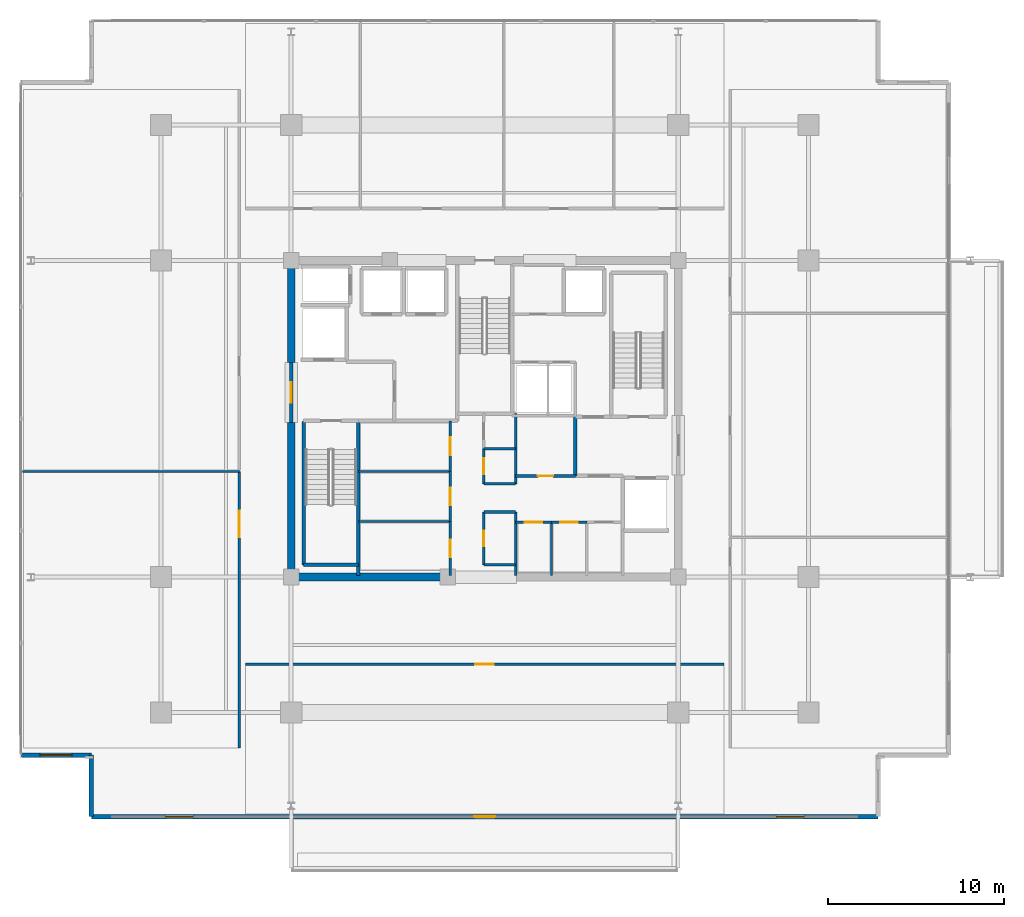
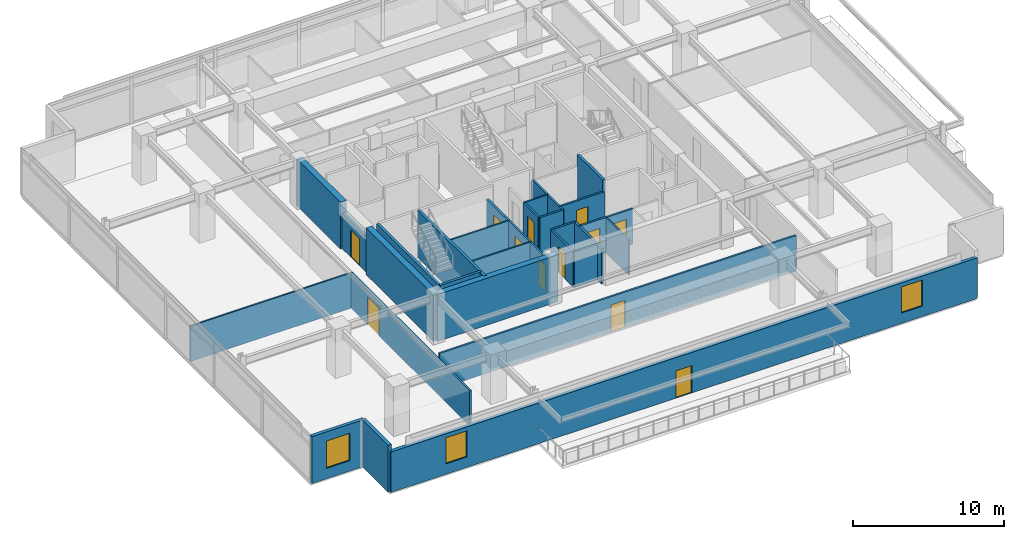
# One storey, part 16 of 24: 31 walls, 12 doors, 3 windows, 15 openings.
"""IFC4 building model written with IfcOpenShell, lengths in metres."""

from ifc_helpers import new_model, si_unit, direction, frame, frame_2d, origin, place, context, subcontext, project, spatial, rectangle, extrude, material, layer, layer_set, type_object, element, fill, save


model = new_model("IFC4")

# Units and contexts
model_context = context("Model", 3, precision=1e-05, world=origin(), true_north=direction((0.0, 1.0)))
body_context = subcontext(model_context, "Body", "Model", "MODEL_VIEW")
ifc_project = project(units=[si_unit("LENGTHUNIT", "METRE"), si_unit("AREAUNIT", "SQUARE_METRE"), si_unit("VOLUMEUNIT", "CUBIC_METRE"), si_unit("PLANEANGLEUNIT", "RADIAN"), si_unit("MASSUNIT", "GRAM", prefix="KILO")], contexts=[model_context])

# Site, building, storey
site_placement = place(None, origin())
site = spatial("IfcSite", under=ifc_project, at=site_placement, CompositionType="ELEMENT")
building_placement = place(site_placement, origin())
building = spatial("IfcBuilding", under=site, at=building_placement, Name="Kovane Verandah Tower", CompositionType="ELEMENT")
storey_placement = place(building_placement, frame((0.0, 0.0, 259.199951171875)))
storey = spatial("IfcBuildingStorey", under=building, at=storey_placement, Name="L60", CompositionType="ELEMENT", Elevation=259.199951171875)

# Walls
ifc_material_1 = material(Name="Fire-Rated Gypsum Stud Partition", Category="gypsum")
ifc_layer_1 = layer(ifc_material_1, 0.14990234375)
ifc_layer_set_1 = layer_set([ifc_layer_1], Name="Fire-Rated Gypsum Stud Partition")
wall_type_1 = type_object("IfcWallType", Name="WL-COR-150", PredefinedType="PARTITIONING", material=ifc_layer_set_1)
for number, where, z_axis, x_axis, name in (
    (1, (39.949951171875, 19.199951171875, 0.0), (0.0, 0.0, 1.0), (1.0, 0.0, 0.0), "L60 Central Core Strip South Wall"),
    (2, (39.949951171875, 22.199951171875, 0.0), (0.0, 0.0, 1.0), (1.0, 0.0, 0.0), "L60 Core Cross-Passage South Wall"),
    (3, (39.949951171875, 23.800048828125, 0.0), (0.0, 0.0, 1.0), (1.0, 0.0, 0.0), "L60 Core Cross-Passage North Wall"),
):
    element("IfcWall", number, at=place(storey_placement, frame(where, z_axis=z_axis, x_axis=x_axis)), inside=storey, type_object=wall_type_1, Name=name, PredefinedType="PARTITIONING", context=body_context, shape_type="SweptSolid", body=[
        extrude(rectangle(XDim=1.81005859375, YDim=0.14990234375, at=frame_2d((0.905029296875, 0.0))), origin(), (0.0, 0.0, 1.0), 2.85009765625),
    ])
wall_1_placement = place(storey_placement, frame((41.760009765625, 18.60009765625, 0.0), z_axis=(0.0, 0.0, 1.0), x_axis=(0.0, 1.0, 0.0)))
element("IfcWall", 4, at=wall_1_placement, inside=storey, type_object=wall_type_1, Name="L60 Central Core Strip Lower East Wall", PredefinedType="PARTITIONING", context=body_context, shape_type="SweptSolid", body=[
    extrude(rectangle(XDim=3.599853515625, YDim=0.14990234375, at=frame_2d((1.7998046875, 0.0))), origin(), (0.0, 0.0, 1.0), 2.85009765625),
])
wall_2_placement = place(storey_placement, frame((41.760009765625, 23.800048828125, 0.0), z_axis=(0.0, 0.0, 1.0), x_axis=(0.0, 1.0, 0.0)))
element("IfcWall", 5, at=wall_2_placement, inside=storey, type_object=wall_type_1, Name="L60 Central Core Strip Upper East Wall", PredefinedType="PARTITIONING", context=body_context, shape_type="SweptSolid", body=[
    extrude(rectangle(XDim=4.0, YDim=0.14990234375, at=frame_2d((2.0, 0.0))), origin(), (0.0, 0.0, 1.0), 2.85009765625),
])

# Wall, opening, door
wall_3_placement = place(storey_placement, frame((39.949951171875, 19.199951171875, 0.0), z_axis=(0.0, 0.0, 1.0), x_axis=(0.0, 1.0, 0.0)))
wall_3 = element("IfcWall", 6, at=wall_3_placement, inside=storey, type_object=wall_type_1, Name="L60 Male Toilet Partition", PredefinedType="PARTITIONING", context=body_context, shape_type="SweptSolid", body=[
    extrude(rectangle(XDim=3.0, YDim=0.14990234375, at=frame_2d((1.5, 0.0))), origin(), (0.0, 0.0, 1.0), 2.85009765625),
])
opening_1_placement = place(wall_3_placement, frame((1.050048828125, 0.0, 0.0)))
opening_1 = element("IfcOpeningElement", 7, at=opening_1_placement, cuts=wall_3, Name="Opening DR-L60-031", PredefinedType="OPENING", context=body_context, shape_type="SweptSolid", body=[
    extrude(rectangle(XDim=0.89990234375, YDim=2.10009765625, at=frame_2d((0.449951171875, 1.050048828125))), frame((0.0, 0.074951171875, 0.0), z_axis=(0.0, -1.0, 0.0), x_axis=(1.0, 0.0, 0.0)), (0.0, 0.0, 1.0), 0.14990234375),
])
ifc_material_2 = material(Name="Moisture-Resistant Laminate Washroom Door", Category="wood")
door_type_1 = type_object("IfcDoorType", Name="DR-WC-900", OperationType="SINGLE_SWING_LEFT", PredefinedType="DOOR", material=ifc_material_2)
door_1_placement = place(opening_1_placement, origin())
door_1 = element("IfcDoor", 8, at=door_1_placement, inside=storey, type_object=door_type_1, Name="L60 Male Toilet Door", OperationType="SINGLE_SWING_RIGHT", OverallHeight=2.10009765625, OverallWidth=0.89990234375, PredefinedType="DOOR", context=body_context, shape_type="SweptSolid", body=[
    extrude(rectangle(XDim=0.89990234375, YDim=2.10009765625, at=frame_2d((0.449951171875, 1.050048828125))), frame((0.0, 0.02490234375, 0.0), z_axis=(0.0, -1.0, 0.0), x_axis=(1.0, 0.0, 0.0)), (0.0, 0.0, 1.0), 0.050048828125),
])
fill(opening_1, door_1)

wall_4_placement = place(storey_placement, frame((39.949951171875, 23.800048828125, 0.0), z_axis=(0.0, 0.0, 1.0), x_axis=(0.0, 1.0, 0.0)))
wall_4 = element("IfcWall", 9, at=wall_4_placement, inside=storey, type_object=wall_type_1, Name="L60 Female Toilet Partition", PredefinedType="PARTITIONING", context=body_context, shape_type="SweptSolid", body=[
    extrude(rectangle(XDim=2.0, YDim=0.14990234375, at=frame_2d((1.0, 0.0))), origin(), (0.0, 0.0, 1.0), 2.85009765625),
])
opening_2_placement = place(wall_4_placement, frame((0.550048828125, 0.0, 0.0)))
opening_2 = element("IfcOpeningElement", 10, at=opening_2_placement, cuts=wall_4, Name="Opening DR-L60-030", PredefinedType="OPENING", context=body_context, shape_type="SweptSolid", body=[
    extrude(rectangle(XDim=0.89990234375, YDim=2.10009765625, at=frame_2d((0.449951171875, 1.050048828125))), frame((0.0, 0.074951171875, 0.0), z_axis=(0.0, -1.0, 0.0), x_axis=(1.0, 0.0, 0.0)), (0.0, 0.0, 1.0), 0.14990234375),
])
door_2_placement = place(opening_2_placement, origin())
door_2 = element("IfcDoor", 11, at=door_2_placement, inside=storey, type_object=door_type_1, Name="L60 Female Toilet Door", OperationType="SINGLE_SWING_LEFT", OverallHeight=2.10009765625, OverallWidth=0.89990234375, PredefinedType="DOOR", context=body_context, shape_type="SweptSolid", body=[
    extrude(rectangle(XDim=0.89990234375, YDim=2.10009765625, at=frame_2d((0.449951171875, 1.050048828125))), frame((0.0, 0.02490234375, 0.0), z_axis=(0.0, -1.0, 0.0), x_axis=(1.0, 0.0, 0.0)), (0.0, 0.0, 1.0), 0.050048828125),
])
fill(opening_2, door_2)

wall_5_placement = place(storey_placement, frame((38.050048828125, 18.60009765625, 0.0), z_axis=(0.0, 0.0, 1.0), x_axis=(0.0, 1.0, 0.0)))
wall_5 = element("IfcWall", 12, at=wall_5_placement, inside=storey, type_object=wall_type_1, Name="L60 Project Archive Room Partition", PredefinedType="PARTITIONING", context=body_context, shape_type="SweptSolid", body=[
    extrude(rectangle(XDim=3.059814453125, YDim=0.14990234375, at=frame_2d((1.52978515625, 0.0))), origin(), (0.0, 0.0, 1.0), 2.85009765625),
])
opening_3_placement = place(wall_5_placement, frame((1.030029296875, 0.0, 0.0)))
opening_3 = element("IfcOpeningElement", 13, at=opening_3_placement, cuts=wall_5, Name="Opening DR-L60-014", PredefinedType="OPENING", context=body_context, shape_type="SweptSolid", body=[
    extrude(rectangle(XDim=1.0, YDim=2.14990234375, at=frame_2d((0.5, 1.074951171875))), frame((0.0, 0.074951171875, 0.0), z_axis=(0.0, -1.0, 0.0), x_axis=(1.0, 0.0, 0.0)), (0.0, 0.0, 1.0), 0.14990234375),
])
ifc_material_3 = material(Name="FSC Spotted-Gum Timber Fire-Rated Office Door", Category="wood")
door_type_2 = type_object("IfcDoorType", Name="DR-OFF-1000", OperationType="SINGLE_SWING_LEFT", PredefinedType="DOOR", material=ifc_material_3)
door_3_placement = place(opening_3_placement, origin())
door_3 = element("IfcDoor", 14, at=door_3_placement, inside=storey, type_object=door_type_2, Name="L60 Project Archive Room Door", OperationType="SINGLE_SWING_LEFT", OverallHeight=2.14990234375, OverallWidth=1.0, PredefinedType="DOOR", context=body_context, shape_type="SweptSolid", body=[
    extrude(rectangle(XDim=1.0, YDim=2.14990234375, at=frame_2d((0.5, 1.074951171875))), frame((0.0, 0.02490234375, 0.0), z_axis=(0.0, -1.0, 0.0), x_axis=(1.0, 0.0, 0.0)), (0.0, 0.0, 1.0), 0.050048828125),
])
fill(opening_3, door_3)

wall_6_placement = place(storey_placement, frame((38.050048828125, 21.659912109375, 0.0), z_axis=(0.0, 0.0, 1.0), x_axis=(0.0, 1.0, 0.0)))
wall_6 = element("IfcWall", 15, at=wall_6_placement, inside=storey, type_object=wall_type_1, Name="L60 First Aid and Wellness Room Partition", PredefinedType="PARTITIONING", context=body_context, shape_type="SweptSolid", body=[
    extrude(rectangle(XDim=2.840087890625, YDim=0.14990234375, at=frame_2d((1.419921875, 0.0))), origin(), (0.0, 0.0, 1.0), 2.85009765625),
])
opening_4_placement = place(wall_6_placement, frame((0.919921875, 0.0, 0.0)))
opening_4 = element("IfcOpeningElement", 16, at=opening_4_placement, cuts=wall_6, Name="Opening DR-L60-015", PredefinedType="OPENING", context=body_context, shape_type="SweptSolid", body=[
    extrude(rectangle(XDim=1.0, YDim=2.14990234375, at=frame_2d((0.5, 1.074951171875))), frame((0.0, 0.074951171875, 0.0), z_axis=(0.0, -1.0, 0.0), x_axis=(1.0, 0.0, 0.0)), (0.0, 0.0, 1.0), 0.14990234375),
])
door_4_placement = place(opening_4_placement, origin())
door_4 = element("IfcDoor", 17, at=door_4_placement, inside=storey, type_object=door_type_2, Name="L60 First Aid and Wellness Room Door", OperationType="SINGLE_SWING_RIGHT", OverallHeight=2.14990234375, OverallWidth=1.0, PredefinedType="DOOR", context=body_context, shape_type="SweptSolid", body=[
    extrude(rectangle(XDim=1.0, YDim=2.14990234375, at=frame_2d((0.5, 1.074951171875))), frame((0.0, 0.02490234375, 0.0), z_axis=(0.0, -1.0, 0.0), x_axis=(1.0, 0.0, 0.0)), (0.0, 0.0, 1.0), 0.050048828125),
])
fill(opening_4, door_4)

wall_7_placement = place(storey_placement, frame((38.050048828125, 24.5, 0.0), z_axis=(0.0, 0.0, 1.0), x_axis=(0.0, 1.0, 0.0)))
wall_7 = element("IfcWall", 18, at=wall_7_placement, inside=storey, type_object=wall_type_1, Name="L60 Tea and Copy Hub Partition", PredefinedType="PARTITIONING", context=body_context, shape_type="SweptSolid", body=[
    extrude(rectangle(XDim=2.8798828125, YDim=0.14990234375, at=frame_2d((1.43994140625, 0.0))), origin(), (0.0, 0.0, 1.0), 2.85009765625),
])
opening_5_placement = place(wall_7_placement, frame((0.93994140625, 0.0, 0.0)))
opening_5 = element("IfcOpeningElement", 19, at=opening_5_placement, cuts=wall_7, Name="Opening DR-L60-016", PredefinedType="OPENING", context=body_context, shape_type="SweptSolid", body=[
    extrude(rectangle(XDim=1.0, YDim=2.14990234375, at=frame_2d((0.5, 1.074951171875))), frame((0.0, 0.074951171875, 0.0), z_axis=(0.0, -1.0, 0.0), x_axis=(1.0, 0.0, 0.0)), (0.0, 0.0, 1.0), 0.14990234375),
])
door_5_placement = place(opening_5_placement, origin())
door_5 = element("IfcDoor", 20, at=door_5_placement, inside=storey, type_object=door_type_2, Name="L60 Tea and Copy Hub Door", OperationType="SINGLE_SWING_LEFT", OverallHeight=2.14990234375, OverallWidth=1.0, PredefinedType="DOOR", context=body_context, shape_type="SweptSolid", body=[
    extrude(rectangle(XDim=1.0, YDim=2.14990234375, at=frame_2d((0.5, 1.074951171875))), frame((0.0, 0.02490234375, 0.0), z_axis=(0.0, -1.0, 0.0), x_axis=(1.0, 0.0, 0.0)), (0.0, 0.0, 1.0), 0.050048828125),
])
fill(opening_5, door_5)

wall_8_placement = place(storey_placement, frame((41.760009765625, 21.6201171875, 0.0), z_axis=(0.0, 0.0, 1.0), x_axis=(1.0, 0.0, 0.0)))
wall_8 = element("IfcWall", 21, at=wall_8_placement, inside=storey, type_object=wall_type_1, Name="L60 Mail and Copy Room Partition", PredefinedType="PARTITIONING", context=body_context, shape_type="SweptSolid", body=[
    extrude(rectangle(XDim=2.0400390625, YDim=0.14990234375, at=frame_2d((1.02001953125, 0.0))), origin(), (0.0, 0.0, 1.0), 2.85009765625),
])
opening_6_placement = place(wall_8_placement, frame((0.52001953125, 0.0, 0.0)))
opening_6 = element("IfcOpeningElement", 22, at=opening_6_placement, cuts=wall_8, Name="Opening DR-L60-017", PredefinedType="OPENING", context=body_context, shape_type="SweptSolid", body=[
    extrude(rectangle(XDim=1.0, YDim=2.14990234375, at=frame_2d((0.5, 1.074951171875))), frame((0.0, 0.074951171875, 0.0), z_axis=(0.0, -1.0, 0.0), x_axis=(1.0, 0.0, 0.0)), (0.0, 0.0, 1.0), 0.14990234375),
])
door_6_placement = place(opening_6_placement, origin())
door_6 = element("IfcDoor", 23, at=door_6_placement, inside=storey, type_object=door_type_2, Name="L60 Mail and Copy Room Door", OperationType="SINGLE_SWING_RIGHT", OverallHeight=2.14990234375, OverallWidth=1.0, PredefinedType="DOOR", context=body_context, shape_type="SweptSolid", body=[
    extrude(rectangle(XDim=1.0, YDim=2.14990234375, at=frame_2d((0.5, 1.074951171875))), frame((0.0, 0.02490234375, 0.0), z_axis=(0.0, -1.0, 0.0), x_axis=(1.0, 0.0, 0.0)), (0.0, 0.0, 1.0), 0.050048828125),
])
fill(opening_6, door_6)

wall_9_placement = place(storey_placement, frame((43.800048828125, 21.6201171875, 0.0), z_axis=(0.0, 0.0, 1.0), x_axis=(1.0, 0.0, 0.0)))
wall_9 = element("IfcWall", 24, at=wall_9_placement, inside=storey, type_object=wall_type_1, Name="L60 First Aid Room Partition", PredefinedType="PARTITIONING", context=body_context, shape_type="SweptSolid", body=[
    extrude(rectangle(XDim=2.0, YDim=0.14990234375, at=frame_2d((1.0, 0.0))), origin(), (0.0, 0.0, 1.0), 2.85009765625),
])
opening_7_placement = place(wall_9_placement, frame((0.5, 0.0, 0.0)))
opening_7 = element("IfcOpeningElement", 25, at=opening_7_placement, cuts=wall_9, Name="Opening DR-L60-018", PredefinedType="OPENING", context=body_context, shape_type="SweptSolid", body=[
    extrude(rectangle(XDim=1.0, YDim=2.14990234375, at=frame_2d((0.5, 1.074951171875))), frame((0.0, 0.074951171875, 0.0), z_axis=(0.0, -1.0, 0.0), x_axis=(1.0, 0.0, 0.0)), (0.0, 0.0, 1.0), 0.14990234375),
])
door_7_placement = place(opening_7_placement, origin())
door_7 = element("IfcDoor", 26, at=door_7_placement, inside=storey, type_object=door_type_2, Name="L60 First Aid Room Door", OperationType="SINGLE_SWING_LEFT", OverallHeight=2.14990234375, OverallWidth=1.0, PredefinedType="DOOR", context=body_context, shape_type="SweptSolid", body=[
    extrude(rectangle(XDim=1.0, YDim=2.14990234375, at=frame_2d((0.5, 1.074951171875))), frame((0.0, 0.02490234375, 0.0), z_axis=(0.0, -1.0, 0.0), x_axis=(1.0, 0.0, 0.0)), (0.0, 0.0, 1.0), 0.050048828125),
])
fill(opening_7, door_7)

wall_10_placement = place(storey_placement, frame((41.760009765625, 24.25, 0.0), z_axis=(0.0, 0.0, 1.0), x_axis=(1.0, 0.0, 0.0)))
wall_10 = element("IfcWall", 27, at=wall_10_placement, inside=storey, type_object=wall_type_1, Name="L60 Supply Store Partition", PredefinedType="PARTITIONING", context=body_context, shape_type="SweptSolid", body=[
    extrude(rectangle(XDim=3.389892578125, YDim=0.14990234375, at=frame_2d((1.69482421875, 0.0))), origin(), (0.0, 0.0, 1.0), 2.85009765625),
])
opening_8_placement = place(wall_10_placement, frame((1.2548828125, 0.0, 0.0)))
opening_8 = element("IfcOpeningElement", 28, at=opening_8_placement, cuts=wall_10, Name="Opening DR-L60-020", PredefinedType="OPENING", context=body_context, shape_type="SweptSolid", body=[
    extrude(rectangle(XDim=0.8798828125, YDim=2.10009765625, at=frame_2d((0.43994140625, 1.050048828125))), frame((0.0, 0.074951171875, 0.0), z_axis=(0.0, -1.0, 0.0), x_axis=(1.0, 0.0, 0.0)), (0.0, 0.0, 1.0), 0.14990234375),
])
ifc_material_4 = material(Name="Fire-Rated Steel Riser Access Door", Category="steel")
door_type_3 = type_object("IfcDoorType", Name="DR-RISER-880", OperationType="SINGLE_SWING_LEFT", PredefinedType="DOOR", material=ifc_material_4)
door_8_placement = place(opening_8_placement, origin())
door_8 = element("IfcDoor", 29, at=door_8_placement, inside=storey, type_object=door_type_3, Name="L60 Supply Store Door", OperationType="SINGLE_SWING_LEFT", OverallHeight=2.10009765625, OverallWidth=0.8798828125, PredefinedType="DOOR", context=body_context, shape_type="SweptSolid", body=[
    extrude(rectangle(XDim=0.8798828125, YDim=2.10009765625, at=frame_2d((0.43994140625, 1.050048828125))), frame((0.0, 0.02490234375, 0.0), z_axis=(0.0, -1.0, 0.0), x_axis=(1.0, 0.0, 0.0)), (0.0, 0.0, 1.0), 0.050048828125),
])
fill(opening_8, door_8)

wall_11_placement = place(storey_placement, frame((26.39990234375, 13.550048828125, 0.0), z_axis=(0.0, 0.0, 1.0), x_axis=(1.0, 0.0, 0.0)))
wall_11 = element("IfcWall", 30, at=wall_11_placement, inside=storey, type_object=wall_type_1, Name="L60 Executive Office S1 Corridor Partition", PredefinedType="PARTITIONING", context=body_context, shape_type="SweptSolid", body=[
    extrude(rectangle(XDim=27.2001953125, YDim=0.14990234375, at=frame_2d((13.60009765625, 0.0))), origin(), (0.0, 0.0, 1.0), 2.85009765625),
])
opening_9_placement = place(wall_11_placement, frame((13.074951171875, 0.0, 0.0)))
opening_9 = element("IfcOpeningElement", 31, at=opening_9_placement, cuts=wall_11, Name="Opening DR-L60-028", PredefinedType="OPENING", context=body_context, shape_type="SweptSolid", body=[
    extrude(rectangle(XDim=1.050048828125, YDim=2.199951171875, at=frame_2d((0.52490234375, 1.10009765625))), frame((0.0, 0.074951171875, 0.0), z_axis=(0.0, -1.0, 0.0), x_axis=(1.0, 0.0, 0.0)), (0.0, 0.0, 1.0), 0.14990234375),
])
ifc_material_5 = material(Name="FSC Blackbutt Timber Fire-Rated Executive Door", Category="wood")
door_type_4 = type_object("IfcDoorType", Name="DR-EXEC-1050", OperationType="SINGLE_SWING_LEFT", PredefinedType="DOOR", material=ifc_material_5)
door_9_placement = place(opening_9_placement, origin())
door_9 = element("IfcDoor", 32, at=door_9_placement, inside=storey, type_object=door_type_4, Name="L60 Executive Office S1 Entrance Door", OperationType="SINGLE_SWING_LEFT", OverallHeight=2.199951171875, OverallWidth=1.050048828125, PredefinedType="DOOR", context=body_context, shape_type="SweptSolid", body=[
    extrude(rectangle(XDim=1.050048828125, YDim=2.199951171875, at=frame_2d((0.52490234375, 1.10009765625))), frame((0.0, 0.02490234375, 0.0), z_axis=(0.0, -1.0, 0.0), x_axis=(1.0, 0.0, 0.0)), (0.0, 0.0, 1.0), 0.050048828125),
])
fill(opening_9, door_9)

wall_12_placement = place(storey_placement, frame((26.050048828125, 8.78173828125, 0.0), z_axis=(0.0, 0.0, 1.0), x_axis=(0.0, 1.0, 0.0)))
wall_12 = element("IfcWall", 33, at=wall_12_placement, inside=storey, type_object=wall_type_1, Name="L60 Client Boardroom W1 Corridor Partition", PredefinedType="PARTITIONING", context=body_context, shape_type="SweptSolid", body=[
    extrude(rectangle(XDim=15.723388671875, YDim=0.14990234375, at=frame_2d((7.86181640625, 0.0))), origin(), (0.0, 0.0, 1.0), 2.85009765625),
])
opening_10_placement = place(wall_12_placement, frame((11.985595703125, 0.0, 0.0)))
opening_10 = element("IfcOpeningElement", 34, at=opening_10_placement, cuts=wall_12, Name="Opening DR-L60-032", PredefinedType="OPENING", context=body_context, shape_type="SweptSolid", body=[
    extrude(rectangle(XDim=1.5, YDim=2.25, at=frame_2d((0.75, 1.125))), frame((0.0, 0.074951171875, 0.0), z_axis=(0.0, -1.0, 0.0), x_axis=(1.0, 0.0, 0.0)), (0.0, 0.0, 1.0), 0.14990234375),
])
ifc_material_6 = material(Name="Glazed Timber Fire-Rated Double Door", Category="wood")
door_type_5 = type_object("IfcDoorType", Name="DR-CONF-1500", OperationType="DOUBLE_DOOR_SINGLE_SWING", PredefinedType="DOOR", material=ifc_material_6)
door_10_placement = place(opening_10_placement, origin())
door_10 = element("IfcDoor", 35, at=door_10_placement, inside=storey, type_object=door_type_5, Name="L60 Client Boardroom W1 Entrance Door", OperationType="DOUBLE_DOOR_SINGLE_SWING", OverallHeight=2.25, OverallWidth=1.5, PredefinedType="DOOR", context=body_context, shape_type="SweptSolid", body=[
    extrude(rectangle(XDim=1.5, YDim=2.25, at=frame_2d((0.75, 1.125))), frame((0.0, 0.02490234375, 0.0), z_axis=(0.0, -1.0, 0.0), x_axis=(1.0, 0.0, 0.0)), (0.0, 0.0, 1.0), 0.050048828125),
])
fill(opening_10, door_10)

# Walls
ifc_material_7 = material(Name="Concrete C60/75", Category="concrete")
ifc_layer_2 = layer(ifc_material_7, 0.449951171875)
ifc_layer_set_2 = layer_set([ifc_layer_2], Name="Concrete C60/75")
wall_type_2 = type_object("IfcWallType", Name="WL-CORE-450", PredefinedType="SHEAR", material=ifc_layer_set_2)
wall_13_placement = place(storey_placement, frame((29.0, 18.5, 0.0), z_axis=(0.0, 0.0, 1.0), x_axis=(1.0, 0.0, 0.0)))
element("IfcWall", 36, at=wall_13_placement, inside=storey, type_object=wall_type_2, Name="L60 Core Shear Wall CS-1", PredefinedType="SHEAR", context=body_context, shape_type="SweptSolid", body=[
    extrude(rectangle(XDim=9.199951171875, YDim=0.449951171875, at=frame_2d((4.60009765625, 0.0))), origin(), (0.0, 0.0, 1.0), 3.78515625),
])
wall_14_placement = place(storey_placement, frame((29.0, 18.5, 0.0), z_axis=(0.0, 0.0, 1.0), x_axis=(0.0, 1.0, 0.0)))
element("IfcWall", 37, at=wall_14_placement, inside=storey, type_object=wall_type_2, Name="L60 Core Shear Wall CW-1", PredefinedType="SHEAR", context=body_context, shape_type="SweptSolid", body=[
    extrude(rectangle(XDim=8.800048828125, YDim=0.449951171875, at=frame_2d((4.39990234375, 0.0))), origin(), (0.0, 0.0, 1.0), 3.78515625),
])
wall_15_placement = place(storey_placement, frame((29.0, 30.699951171875, 0.0), z_axis=(0.0, 0.0, 1.0), x_axis=(0.0, 1.0, 0.0)))
element("IfcWall", 38, at=wall_15_placement, inside=storey, type_object=wall_type_2, Name="L60 Core Shear Wall CW-2", PredefinedType="SHEAR", context=body_context, shape_type="SweptSolid", body=[
    extrude(rectangle(XDim=5.800048828125, YDim=0.449951171875, at=frame_2d((2.89990234375, 0.0))), origin(), (0.0, 0.0, 1.0), 3.78515625),
])

# Wall, opening, door
ifc_material_8 = material(Name="Concrete C45/55 Fire Wall", Category="concrete")
ifc_layer_3 = layer(ifc_material_8, 0.199951171875)
ifc_layer_set_3 = layer_set([ifc_layer_3], Name="Concrete C45/55 Fire Wall")
wall_type_3 = type_object("IfcWallType", Name="WL-FFL-200", PredefinedType="PARTITIONING", material=ifc_layer_set_3)
wall_16_placement = place(storey_placement, frame((29.0, 27.300048828125, 0.0), z_axis=(0.0, 0.0, 1.0), x_axis=(0.0, 1.0, 0.0)))
wall_16 = element("IfcWall", 39, at=wall_16_placement, inside=storey, type_object=wall_type_3, Name="W-L60-FFLW-OUT", PredefinedType="PARTITIONING", context=body_context, shape_type="SweptSolid", body=[
    extrude(rectangle(XDim=3.39990234375, YDim=0.199951171875, at=frame_2d((1.699951171875, 0.0))), origin(), (0.0, 0.0, 1.0), 2.864990234375),
])
opening_11_placement = place(wall_16_placement, frame((1.125, 0.0, 0.0)))
opening_11 = element("IfcOpeningElement", 40, at=opening_11_placement, cuts=wall_16, Name="Opening DR-L60-007", PredefinedType="OPENING", context=body_context, shape_type="SweptSolid", body=[
    extrude(rectangle(XDim=1.14990234375, YDim=2.199951171875, at=frame_2d((0.574951171875, 1.10009765625))), frame((0.0, 0.10009765625, 0.0), z_axis=(0.0, -1.0, 0.0), x_axis=(1.0, 0.0, 0.0)), (0.0, 0.0, 1.0), 0.199951171875),
])
ifc_material_9 = material(Name="Smoke-Sealed Firefighting Lobby Door", Category="steel")
door_type_6 = type_object("IfcDoorType", Name="DR-FFL-1150", OperationType="SINGLE_SWING_LEFT", PredefinedType="DOOR", material=ifc_material_9)
door_11_placement = place(opening_11_placement, origin())
door_11 = element("IfcDoor", 41, at=door_11_placement, inside=storey, type_object=door_type_6, Name="L60 West Firefighting Lobby Corridor Door", OperationType="SINGLE_SWING_RIGHT", OverallHeight=2.199951171875, OverallWidth=1.14990234375, PredefinedType="DOOR", context=body_context, shape_type="SweptSolid", body=[
    extrude(rectangle(XDim=1.14990234375, YDim=2.199951171875, at=frame_2d((0.574951171875, 1.10009765625))), frame((0.0, 0.02490234375, 0.0), z_axis=(0.0, -1.0, 0.0), x_axis=(1.0, 0.0, 0.0)), (0.0, 0.0, 1.0), 0.050048828125),
])
fill(opening_11, door_11)

# Walls
wall_17_placement = place(storey_placement, frame((45.14990234375, 24.25, 0.0), z_axis=(0.0, 0.0, 1.0), x_axis=(0.0, 1.0, 0.0)))
element("IfcWall", 42, at=wall_17_placement, inside=storey, type_object=wall_type_3, Name="L60 East Firefighting Lobby West Fire Wall", PredefinedType="PARTITIONING", context=body_context, shape_type="SweptSolid", body=[
    extrude(rectangle(XDim=3.3701171875, YDim=0.199951171875, at=frame_2d((1.68505859375, 0.0))), origin(), (0.0, 0.0, 1.0), 3.78515625),
])
ifc_material_10 = material(Name="Acoustic Fire-Rated Gypsum Partition", Category="gypsum")
ifc_layer_4 = layer(ifc_material_10, 0.1201171875)
ifc_layer_set_4 = layer_set([ifc_layer_4], Name="Acoustic Fire-Rated Gypsum Partition")
wall_type_4 = type_object("IfcWallType", Name="WL-PART-120", PredefinedType="PARTITIONING", material=ifc_layer_set_4)
wall_18_placement = place(storey_placement, frame((39.949951171875, 25.800048828125, 0.0), z_axis=(0.0, 0.0, 1.0), x_axis=(1.0, 0.0, 0.0)))
element("IfcWall", 43, at=wall_18_placement, inside=storey, type_object=wall_type_4, Name="L60 Central Core Strip Upper Dividing Partition", PredefinedType="PARTITIONING", context=body_context, shape_type="SweptSolid", body=[
    extrude(rectangle(XDim=1.81005859375, YDim=0.1201171875, at=frame_2d((0.905029296875, 0.0))), origin(), (0.0, 0.0, 1.0), 2.85009765625),
])
for number, where, z_axis, x_axis, name in (
    (44, (32.820068359375, 21.659912109375, 0.0), (0.0, 0.0, 1.0), (1.0, 0.0, 0.0), "L60 Core Support Lower Dividing Partition"),
    (45, (32.820068359375, 24.5, 0.0), (0.0, 0.0, 1.0), (1.0, 0.0, 0.0), "L60 Core Support Upper Dividing Partition"),
):
    element("IfcWall", number, at=place(storey_placement, frame(where, z_axis=z_axis, x_axis=x_axis)), inside=storey, type_object=wall_type_4, Name=name, PredefinedType="PARTITIONING", context=body_context, shape_type="SweptSolid", body=[
        extrude(rectangle(XDim=5.22998046875, YDim=0.1201171875, at=frame_2d((2.614990234375, 0.0))), origin(), (0.0, 0.0, 1.0), 2.85009765625),
    ])
wall_19_placement = place(storey_placement, frame((43.800048828125, 18.60009765625, 0.0), z_axis=(0.0, 0.0, 1.0), x_axis=(0.0, 1.0, 0.0)))
element("IfcWall", 46, at=wall_19_placement, inside=storey, type_object=wall_type_4, Name="L60 East Core Support Dividing Partition 1", PredefinedType="PARTITIONING", context=body_context, shape_type="SweptSolid", body=[
    extrude(rectangle(XDim=3.02001953125, YDim=0.1201171875, at=frame_2d((1.510009765625, 0.0))), origin(), (0.0, 0.0, 1.0), 2.85009765625),
])
wall_20_placement = place(storey_placement, frame((13.7333984375, 24.505126953125, 0.0), z_axis=(0.0, 0.0, 1.0), x_axis=(1.0, 0.0, 0.0)))
element("IfcWall", 47, at=wall_20_placement, inside=storey, type_object=wall_type_4, Name="L60 Client Boardroom W1 Dividing Partition", PredefinedType="PARTITIONING", context=body_context, shape_type="SweptSolid", body=[
    extrude(rectangle(XDim=12.316650390625, YDim=0.1201171875, at=frame_2d((6.158203125, 0.0))), origin(), (0.0, 0.0, 1.0), 2.85009765625),
])
ifc_material_11 = material(Name="Concrete C45/55", Category="concrete")
ifc_layer_5 = layer(ifc_material_11, 0.199951171875)
ifc_layer_set_5 = layer_set([ifc_layer_5], Name="Concrete C45/55")
wall_type_5 = type_object("IfcWallType", Name="WL-SHAFT-200", PredefinedType="SOLIDWALL", material=ifc_layer_set_5)
wall_21_placement = place(storey_placement, frame((29.699951171875, 19.199951171875, 0.0), z_axis=(0.0, 0.0, 1.0), x_axis=(0.0, 1.0, 0.0)))
element("IfcWall", 48, at=wall_21_placement, inside=storey, type_object=wall_type_5, Name="W-L60-ST01-W", PredefinedType="SOLIDWALL", context=body_context, shape_type="SweptSolid", body=[
    extrude(rectangle(XDim=8.150146484375, YDim=0.199951171875, at=frame_2d((4.0751953125, 0.0))), origin(), (0.0, 0.0, 1.0), 3.78515625),
])
wall_22_placement = place(storey_placement, frame((29.699951171875, 19.199951171875, 0.0), z_axis=(0.0, 0.0, 1.0), x_axis=(1.0, 0.0, 0.0)))
element("IfcWall", 49, at=wall_22_placement, inside=storey, type_object=wall_type_5, Name="W-L60-ST01-S", PredefinedType="SOLIDWALL", context=body_context, shape_type="SweptSolid", body=[
    extrude(rectangle(XDim=3.1201171875, YDim=0.199951171875, at=frame_2d((1.56005859375, 0.0))), origin(), (0.0, 0.0, 1.0), 3.78515625),
])
wall_23_placement = place(storey_placement, frame((32.820068359375, 18.60009765625, 0.0), z_axis=(0.0, 0.0, 1.0), x_axis=(0.0, 1.0, 0.0)))
element("IfcWall", 50, at=wall_23_placement, inside=storey, type_object=wall_type_5, Name="W-L60-ST01-E", PredefinedType="SOLIDWALL", context=body_context, shape_type="SweptSolid", body=[
    extrude(rectangle(XDim=8.77978515625, YDim=0.199951171875, at=frame_2d((4.389892578125, 0.0))), origin(), (0.0, 0.0, 1.0), 3.78515625),
])

# Wall, openings, door, windows
ifc_material_12 = material(Name="Concrete C45/55 Insulated Spandrel Wall", Category="concrete")
ifc_layer_6 = layer(ifc_material_12, 0.260009765625)
ifc_layer_set_6 = layer_set([ifc_layer_6], Name="Concrete C45/55 Insulated Spandrel Wall")
wall_type_6 = type_object("IfcWallType", Name="WL-SPANDREL-260", PredefinedType="PARAPET", material=ifc_layer_set_6)
wall_24_placement = place(storey_placement, frame((17.633544921875, 4.8818359375, 0.0), z_axis=(0.0, 0.0, 1.0), x_axis=(1.0, 0.0, 0.0)))
wall_24 = element("IfcWall", 51, at=wall_24_placement, inside=storey, type_object=wall_type_6, Name="L60 S Verandah Access Facade Wall", PredefinedType="PARAPET", context=body_context, shape_type="SweptSolid", body=[
    extrude(rectangle(XDim=44.73291015625, YDim=0.260009765625, at=frame_2d((22.366455078125, 0.0))), origin(), (0.0, 0.0, 1.0), 3.27294921875),
])
opening_12_placement = place(wall_24_placement, frame((4.199951171875, 0.0, 0.85009765625)))
opening_12 = element("IfcOpeningElement", 52, at=opening_12_placement, cuts=wall_24, Name="Opening W-02", PredefinedType="OPENING", context=body_context, shape_type="SweptSolid", body=[
    extrude(rectangle(XDim=1.60009765625, YDim=2.10009765625, at=frame_2d((0.800048828125, 1.050048828125))), frame((0.0, 0.1298828125, 0.0), z_axis=(0.0, -1.0, 0.0), x_axis=(1.0, 0.0, 0.0)), (0.0, 0.0, 1.0), 0.260009765625),
])
opening_13_placement = place(wall_24_placement, frame((21.7666015625, 0.0, 0.0)))
opening_13 = element("IfcOpeningElement", 53, at=opening_13_placement, cuts=wall_24, Name="Opening DR-L60-002", PredefinedType="OPENING", context=body_context, shape_type="SweptSolid", body=[
    extrude(rectangle(XDim=1.199951171875, YDim=2.199951171875, at=frame_2d((0.60009765625, 1.10009765625))), frame((0.0, 0.1298828125, 0.0), z_axis=(0.0, -1.0, 0.0), x_axis=(1.0, 0.0, 0.0)), (0.0, 0.0, 1.0), 0.260009765625),
])
opening_14_placement = place(wall_24_placement, frame((38.93310546875, 0.0, 0.85009765625)))
opening_14 = element("IfcOpeningElement", 54, at=opening_14_placement, cuts=wall_24, Name="Opening W-02", PredefinedType="OPENING", context=body_context, shape_type="SweptSolid", body=[
    extrude(rectangle(XDim=1.60009765625, YDim=2.10009765625, at=frame_2d((0.800048828125, 1.050048828125))), frame((0.0, 0.1298828125, 0.0), z_axis=(0.0, -1.0, 0.0), x_axis=(1.0, 0.0, 0.0)), (0.0, 0.0, 1.0), 0.260009765625),
])
ifc_material_13 = material(Name="Cyclone-Rated Glazed Balcony Leaf Door", Category="aluminium")
door_type_7 = type_object("IfcDoorType", Name="DR-BAL-1200x2200", OperationType="SINGLE_SWING_LEFT", PredefinedType="DOOR", material=ifc_material_13)
door_12_placement = place(opening_13_placement, origin())
door_12 = element("IfcDoor", 55, at=door_12_placement, inside=storey, type_object=door_type_7, Name="L60 S Planted Balcony Access Door", OperationType="SINGLE_SWING_LEFT", OverallHeight=2.199951171875, OverallWidth=1.199951171875, PredefinedType="DOOR", context=body_context, shape_type="SweptSolid", body=[
    extrude(rectangle(XDim=1.199951171875, YDim=2.199951171875, at=frame_2d((0.60009765625, 1.10009765625))), frame((0.0, 0.02490234375, 0.0), z_axis=(0.0, -1.0, 0.0), x_axis=(1.0, 0.0, 0.0)), (0.0, 0.0, 1.0), 0.050048828125),
])
fill(opening_13, door_12)
ifc_material_14 = material(Name="Clear Low-E Laminated Double Glazing in Anodised Frame", Category="glass")
window_type_1 = type_object("IfcWindowType", Name="WN-OPER-1600x2100", PartitioningType="SINGLE_PANEL", PredefinedType="WINDOW", material=ifc_material_14)
window_1_placement = place(opening_12_placement, origin())
window_1 = element("IfcWindow", 56, at=window_1_placement, inside=storey, type_object=window_type_1, Name="L60 S Verandah View Window 1", OverallHeight=2.10009765625, OverallWidth=1.60009765625, PartitioningType="SINGLE_PANEL", PredefinedType="WINDOW", context=body_context, shape_type="SweptSolid", body=[
    extrude(rectangle(XDim=1.60009765625, YDim=2.10009765625, at=frame_2d((0.800048828125, 1.050048828125))), frame((0.0, 0.030029296875, 0.0), z_axis=(0.0, -1.0, 0.0), x_axis=(1.0, 0.0, 0.0)), (0.0, 0.0, 1.0), 0.06005859375),
])
fill(opening_12, window_1)
window_2_placement = place(opening_14_placement, origin())
window_2 = element("IfcWindow", 57, at=window_2_placement, inside=storey, type_object=window_type_1, Name="L60 S Verandah View Window 2", OverallHeight=2.10009765625, OverallWidth=1.60009765625, PartitioningType="SINGLE_PANEL", PredefinedType="WINDOW", context=body_context, shape_type="SweptSolid", body=[
    extrude(rectangle(XDim=1.60009765625, YDim=2.10009765625, at=frame_2d((0.800048828125, 1.050048828125))), frame((0.0, 0.030029296875, 0.0), z_axis=(0.0, -1.0, 0.0), x_axis=(1.0, 0.0, 0.0)), (0.0, 0.0, 1.0), 0.06005859375),
])
fill(opening_14, window_2)

# Wall, opening, window
wall_25_placement = place(storey_placement, frame((13.633544921875, 8.3818359375, 0.0), z_axis=(0.0, 0.0, 1.0), x_axis=(1.0, 0.0, 0.0)))
wall_25 = element("IfcWall", 58, at=wall_25_placement, inside=storey, type_object=wall_type_6, Name="L60 SW Notch Cheek Wall 1", PredefinedType="PARAPET", context=body_context, shape_type="SweptSolid", body=[
    extrude(rectangle(XDim=4.0, YDim=0.260009765625, at=frame_2d((2.0, 0.0))), origin(), (0.0, 0.0, 1.0), 3.78515625),
])
opening_15_placement = place(wall_25_placement, frame((1.10009765625, 0.0, 0.85009765625)))
opening_15 = element("IfcOpeningElement", 59, at=opening_15_placement, cuts=wall_25, Name="Opening W-03", PredefinedType="OPENING", context=body_context, shape_type="SweptSolid", body=[
    extrude(rectangle(XDim=1.800048828125, YDim=2.199951171875, at=frame_2d((0.89990234375, 1.10009765625))), frame((0.0, 0.1298828125, 0.0), z_axis=(0.0, -1.0, 0.0), x_axis=(1.0, 0.0, 0.0)), (0.0, 0.0, 1.0), 0.260009765625),
])
window_type_2 = type_object("IfcWindowType", Name="WN-NOTCH-1800x2200", PartitioningType="SINGLE_PANEL", PredefinedType="WINDOW", material=ifc_material_14)
window_3_placement = place(opening_15_placement, origin())
window_3 = element("IfcWindow", 60, at=window_3_placement, inside=storey, type_object=window_type_2, Name="L60 SW Re-Entrant Corner Operable Window", OverallHeight=2.199951171875, OverallWidth=1.800048828125, PartitioningType="SINGLE_PANEL", PredefinedType="WINDOW", context=body_context, shape_type="SweptSolid", body=[
    extrude(rectangle(XDim=1.800048828125, YDim=2.199951171875, at=frame_2d((0.89990234375, 1.10009765625))), frame((0.0, 0.030029296875, 0.0), z_axis=(0.0, -1.0, 0.0), x_axis=(1.0, 0.0, 0.0)), (0.0, 0.0, 1.0), 0.06005859375),
])
fill(opening_15, window_3)

# Wall
wall_26_placement = place(storey_placement, frame((17.633544921875, 8.3818359375, 0.0), z_axis=(0.0, 0.0, 1.0), x_axis=(0.0, -1.0, 0.0)))
element("IfcWall", 61, at=wall_26_placement, inside=storey, type_object=wall_type_6, Name="L60 SW Notch Cheek Wall 2", PredefinedType="PARAPET", context=body_context, shape_type="SweptSolid", body=[
    extrude(rectangle(XDim=3.5, YDim=0.260009765625, at=frame_2d((1.75, 0.0))), origin(), (0.0, 0.0, 1.0), 3.78515625),
])

save(model, "model.ifc")
